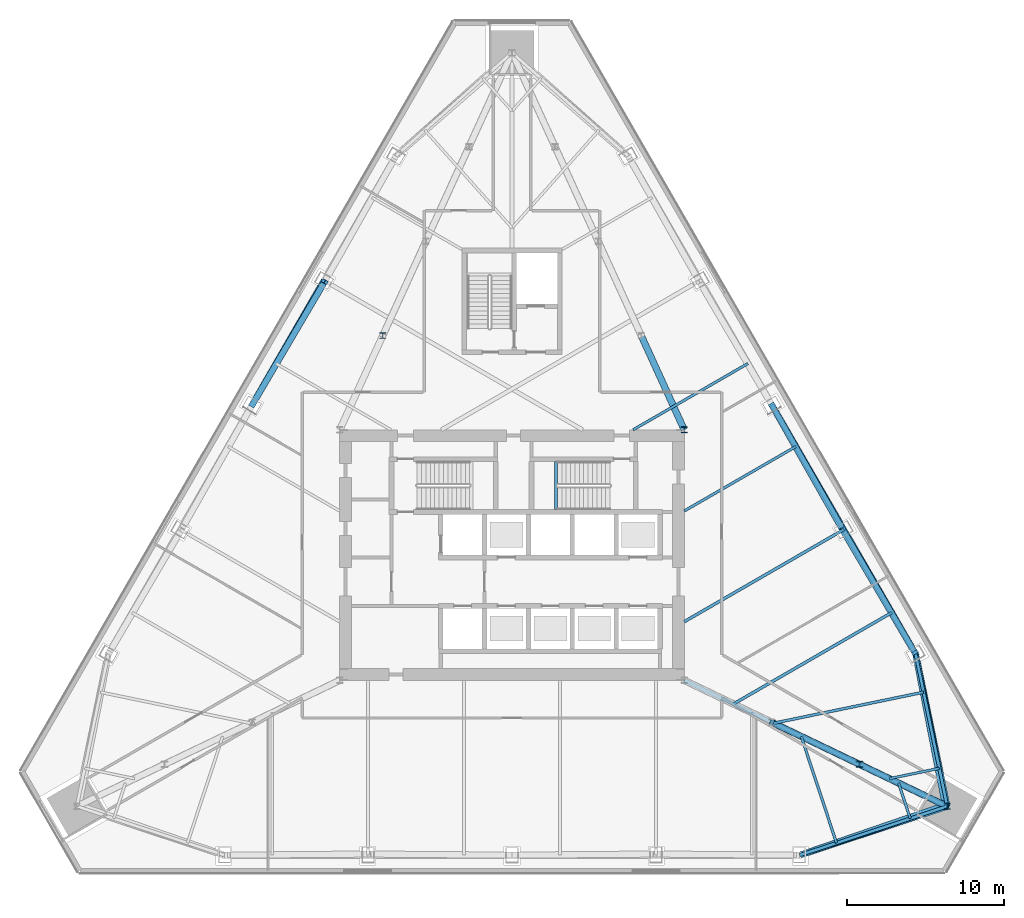
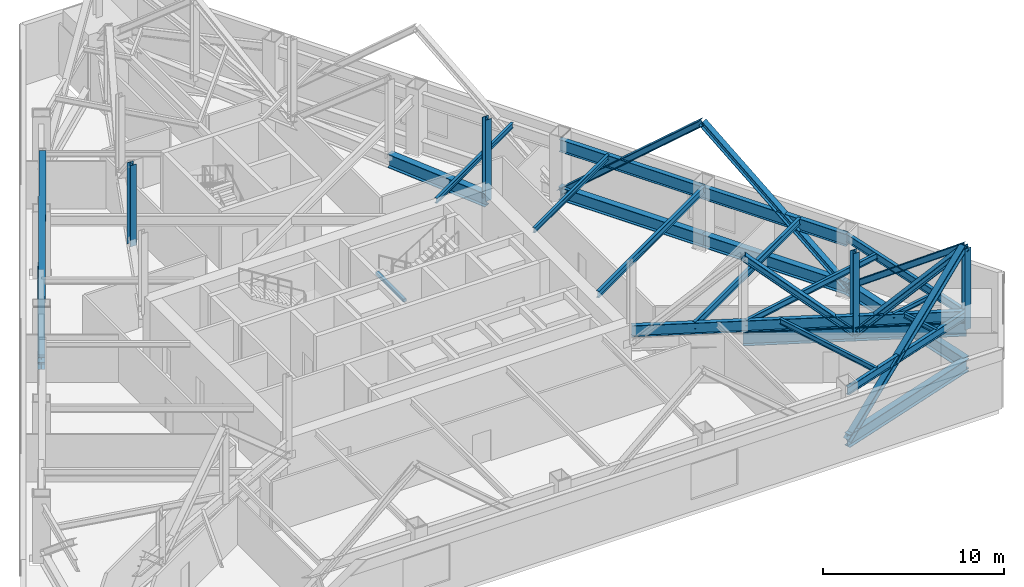
# One storey, part 3 of 13: 19 members, 13 beams.
"""IFC4 building model written with IfcOpenShell, lengths in metres."""

import ifcopenshell
import ifcopenshell.guid

model = None  # the IFC model being written
_history = None  # IfcOwnerHistory: only IFC2X3 demands one
_inside = {}  # id of a spatial element -> (the spatial element, [elements in it])
_under = {}  # id of a project, library or spatial element -> (it, [spatial elements below it])
_declared = {}  # id of a project -> (the project, [libraries it declares])
_typed = {}  # id of a type object -> (the type object, [elements of that type])
_made_of = {}  # id of a material, layer set ... -> (it, [elements and type objects made of it])


def new_model(schema):
    """Start an empty IFC model of exactly this schema.

    Asked for "IFC4X3", IfcOpenShell would pick the latest addendum, in which some entities
    have other attributes; the version numbers below select the first issue.
    IFC2X3 requires an IfcOwnerHistory on every rooted entity: one is made here for all.
    """
    global model, _history
    if schema == "IFC4X3":
        model = ifcopenshell.file(schema_version=(4, 3, 0, 0))
    else:
        model = ifcopenshell.file(schema=schema)
    _inside.clear()
    _under.clear()
    _declared.clear()
    _typed.clear()
    _made_of.clear()
    _history = None
    if model.schema == "IFC2X3":
        org = make("IfcOrganization", Name="unknown")
        user = make(
            "IfcPersonAndOrganization",
            ThePerson=make("IfcPerson", FamilyName="unknown"),
            TheOrganization=org,
        )
        app = make(
            "IfcApplication",
            ApplicationDeveloper=org,
            Version="unknown",
            ApplicationFullName="unknown",
            ApplicationIdentifier="unknown",
        )
        _history = make(
            "IfcOwnerHistory",
            OwningUser=user,
            OwningApplication=app,
            ChangeAction="ADDED",
            CreationDate=0,
        )
    return model


def make(cls, **values):
    """One entity of the class cls with the attributes given. An attribute that is None is left unset."""
    return model.create_entity(
        cls, **{name: value for name, value in values.items() if value is not None}
    )


def rooted(cls, **values):
    """An entity with a GlobalId (a new one), such as an element, a storey or a relation."""
    return make(cls, GlobalId=ifcopenshell.guid.new(), OwnerHistory=_history, **values)


def si_unit(unit_type, name, prefix=None):
    """IfcSIUnit, for example si_unit("LENGTHUNIT", "METRE", prefix="MILLI")."""
    return make("IfcSIUnit", UnitType=unit_type, Prefix=prefix, Name=name)


def assignment(units):
    """IfcUnitAssignment: the units of a project."""
    return None if units is None else make("IfcUnitAssignment", Units=units)


def point(xyz):
    """IfcCartesianPoint."""
    return None if xyz is None else make("IfcCartesianPoint", Coordinates=xyz)


def direction(xyz):
    """IfcDirection."""
    return None if xyz is None else make("IfcDirection", DirectionRatios=xyz)


def frame(location, z_axis=None, x_axis=None):
    """IfcAxis2Placement3D, a coordinate frame: its origin and axes. An axis left out is left unset."""
    return make(
        "IfcAxis2Placement3D",
        Location=point(location),
        Axis=direction(z_axis),
        RefDirection=direction(x_axis),
    )


def frame_2d(location, x_axis=None):
    """IfcAxis2Placement2D, a coordinate frame in the plane: its origin and x axis."""
    return make(
        "IfcAxis2Placement2D", Location=point(location), RefDirection=direction(x_axis)
    )


def origin():
    """The frame at (0, 0, 0) with its axes left unset."""
    return frame((0.0, 0.0, 0.0))


def origin_2d():
    """The frame at (0, 0) in the plane with its x axis left unset."""
    return frame_2d((0.0, 0.0))


def place(relative_to, where):
    """IfcLocalPlacement: puts the frame where relative to a parent placement (None: the world)."""
    return make(
        "IfcLocalPlacement", PlacementRelTo=relative_to, RelativePlacement=where
    )


def context(
    kind, dimensions, precision=None, world=None, true_north=None, identifier=None
):
    """IfcGeometricRepresentationContext, for example the 3D "Model" context."""
    return make(
        "IfcGeometricRepresentationContext",
        ContextIdentifier=identifier,
        ContextType=kind,
        CoordinateSpaceDimension=dimensions,
        Precision=precision,
        WorldCoordinateSystem=world,
        TrueNorth=true_north,
    )


def subcontext(parent, identifier, kind, view, scale=None):
    """IfcGeometricRepresentationSubContext, for example "Body" below "Model"."""
    return make(
        "IfcGeometricRepresentationSubContext",
        ContextIdentifier=identifier,
        ContextType=kind,
        ParentContext=parent,
        TargetScale=scale,
        TargetView=view,
    )


def project(units=None, contexts=None):
    """IfcProject with its units and contexts."""
    return rooted(
        "IfcProject",
        Name="project",
        RepresentationContexts=contexts,
        UnitsInContext=assignment(units),
    )


def spatial(cls, under=None, at=None, **own):
    """A site, building, storey or space (cls), placed at a placement, below another one or the project."""
    s = rooted(cls, ObjectPlacement=at, **own)
    if under is not None:
        _under.setdefault(under.id(), (under, []))[1].append(s)
    return s


def profile(cls, at=None, kind="AREA", **sizes):
    """A parametric profile (cls). Its sizes go by their IFC names, for example OverallWidth=200.0."""
    return make(cls, ProfileType=kind, Position=at, **sizes)


def rectangle(**sizes):
    """IfcRectangleProfileDef."""
    return profile("IfcRectangleProfileDef", **sizes)


def i_section(**sizes):
    """IfcIShapeProfileDef."""
    return profile("IfcIShapeProfileDef", **sizes)


def extrude(swept, where, along, depth):
    """IfcExtrudedAreaSolid: the profile swept, set in the frame where, extruded along a direction by depth."""
    return make(
        "IfcExtrudedAreaSolid",
        SweptArea=swept,
        Position=where,
        ExtrudedDirection=direction(along),
        Depth=depth,
    )


def shape(context_of_items, identifier, shape_type, items):
    """IfcShapeRepresentation: the items that make up one representation, for example the "Body"."""
    return make(
        "IfcShapeRepresentation",
        ContextOfItems=context_of_items,
        RepresentationIdentifier=identifier,
        RepresentationType=shape_type,
        Items=items,
    )


def material(Name=None, Category=None):
    """IfcMaterial."""
    return make("IfcMaterial", Name=Name, Category=Category)


def material_profile(
    of_material, cross_section, Name=None, Category=None, Priority=None
):
    """IfcMaterialProfile: a cross section and its material."""
    return make(
        "IfcMaterialProfile",
        Name=Name,
        Material=of_material,
        Profile=cross_section,
        Priority=Priority,
        Category=Category,
    )


def profile_set(profiles, Name=None, composite=None):
    """IfcMaterialProfileSet."""
    return make(
        "IfcMaterialProfileSet",
        Name=Name,
        MaterialProfiles=profiles,
        CompositeProfile=composite,
    )


def made_of(thing, what):
    """Note that an element or type object is made of a material, layer set ...; save() writes the relation."""
    if what is not None:
        _made_of.setdefault(what.id(), (what, []))[1].append(thing)
    return thing


def type_object(cls, material=None, **own):
    """A type object (cls), such as IfcWallType, which elements share."""
    return made_of(rooted(cls, **own), material)


def element(
    cls,
    number,
    at=None,
    inside=None,
    cuts=None,
    type_object=None,
    material=None,
    context=None,
    identifier="Body",
    shape_type=None,
    held_by="IfcProductDefinitionShape",
    body=None,
    shapes=None,
    **own,
):
    """One element of the class cls, such as IfcWall. Its Tag is "e" and its number.

    at: its placement. inside: the storey or other place that contains it. cuts: it is an
    opening in that element (IfcRelVoidsElement). A single representation is given by context,
    identifier, shape_type and body (its items); several are given by shapes. held_by: the class
    of the entity that holds the representations. save() writes the other relations.
    """
    e = rooted(cls, Tag="e%d" % number, ObjectPlacement=at, **own)
    if body is not None:
        shapes = [shape(context, identifier, shape_type, body)]
    if shapes is not None:
        e.Representation = make(held_by, Representations=shapes)
    if inside is not None:
        _inside.setdefault(inside.id(), (inside, []))[1].append(e)
    if cuts is not None:
        rooted(
            "IfcRelVoidsElement", RelatingBuildingElement=cuts, RelatedOpeningElement=e
        )
    if type_object is not None:
        _typed.setdefault(type_object.id(), (type_object, []))[1].append(e)
    return made_of(e, material)


def aggregate(whole, parts):
    """IfcRelAggregates: a whole, such as a stair, and the parts it consists of."""
    return rooted("IfcRelAggregates", RelatingObject=whole, RelatedObjects=parts)


def save(model, path):
    """Write the relations noted so far, then the file.

    IfcRelAggregates (storeys below a building ...), IfcRelContainedInSpatialStructure (elements
    in a storey), IfcRelDefinesByType, IfcRelAssociatesMaterial and IfcRelDeclares: one each for
    every whole, place, type object, material and project.
    """
    for whole, parts in _under.values():
        aggregate(whole, parts)
    for where, things in _inside.values():
        rooted(
            "IfcRelContainedInSpatialStructure",
            RelatedElements=things,
            RelatingStructure=where,
        )
    for kind, things in _typed.values():
        rooted("IfcRelDefinesByType", RelatedObjects=things, RelatingType=kind)
    for what, things in _made_of.values():
        rooted("IfcRelAssociatesMaterial", RelatedObjects=things, RelatingMaterial=what)
    for by, libraries in _declared.values():
        rooted("IfcRelDeclares", RelatingContext=by, RelatedDefinitions=libraries)
    model.write(path)


model = new_model("IFC4")

# Units and contexts
model_context = context("Model", 3, precision=1e-05, world=origin(), true_north=direction((0.0, 1.0)))
body_context = subcontext(model_context, "Body", "Model", "MODEL_VIEW")
ifc_project = project(units=[si_unit("LENGTHUNIT", "METRE"), si_unit("AREAUNIT", "SQUARE_METRE"), si_unit("VOLUMEUNIT", "CUBIC_METRE"), si_unit("PLANEANGLEUNIT", "RADIAN"), si_unit("MASSUNIT", "GRAM", prefix="KILO")], contexts=[model_context])

# Site, building, storey
site_placement = place(None, origin())
site = spatial("IfcSite", under=ifc_project, at=site_placement, CompositionType="ELEMENT")
building_placement = place(site_placement, origin())
building = spatial("IfcBuilding", under=site, at=building_placement, Name="Firuza Gate Tower and Library", CompositionType="ELEMENT")
storey_placement = place(building_placement, frame((0.0, 0.0, 146.800048828125)))
storey = spatial("IfcBuildingStorey", under=building, at=storey_placement, Name="L33", CompositionType="ELEMENT", Elevation=146.800048828125)

# Beams
ifc_material_1 = material(Name="Concrete C35/45", Category="concrete")
ifc_material_profile_1 = material_profile(ifc_material_1, rectangle(XDim=0.199951171875, YDim=0.199951171875, at=origin_2d()))
ifc_profile_set_1 = profile_set([ifc_material_profile_1], Name="Concrete C35/45")
beam_type_1 = type_object("IfcBeamType", Name="Stair landing bearer 200x200", PredefinedType="BEAM", material=ifc_profile_set_1)
beam_1_placement = place(storey_placement, frame((77.800048828125, 80.97998046875, 1.949951171875), z_axis=(0.0, -1.0, 0.0), x_axis=(1.0, 0.0, 0.0)))
element("IfcBeam", 1, at=beam_1_placement, inside=storey, type_object=beam_type_1, Name="Landing bearer L33 stair 2", PredefinedType="BEAM", context=body_context, shape_type="SweptSolid", body=[
    extrude(rectangle(XDim=0.199951171875, YDim=0.199951171875, at=origin_2d()), origin(), (0.0, 0.0, 1.0), 3.080078125),
])
ifc_material_2 = material(Name="Steel S355", Category="steel")
ifc_material_profile_2 = material_profile(ifc_material_2, i_section(OverallWidth=0.1650390625, OverallDepth=0.31005859375, WebThickness=0.005859375, FlangeThickness=0.009765625, at=origin_2d()))
ifc_profile_set_2 = profile_set([ifc_material_profile_2], Name="Steel S355")
beam_type_2 = type_object("IfcBeamType", Name="W310x39 Floor beam", PredefinedType="JOIST", material=ifc_profile_set_2)
beam_2_placement = place(storey_placement, frame((100.43505859375, 58.17529296875, 3.89501953125), z_axis=(-0.31408061988, 0.949396315674, 0.0), x_axis=(-0.949396315674, -0.31408061988, 0.0)))
element("IfcBeam", 2, at=beam_2_placement, inside=storey, type_object=beam_type_2, Name="Floor beam L33 s31", PredefinedType="JOIST", context=body_context, shape_type="SweptSolid", body=[
    extrude(i_section(OverallWidth=0.1650390625, OverallDepth=0.31005859375, WebThickness=0.005859375, FlangeThickness=0.009765625, at=origin_2d()), origin(), (0.0, 0.0, 1.0), 2.388671875),
])
beam_3_placement = place(storey_placement, frame((102.2880859375, 61.385009765625, 3.89501953125), z_axis=(-0.979226570581, -0.202769138353, 0.0), x_axis=(0.202769138353, -0.979226570581, 0.0)))
element("IfcBeam", 3, at=beam_3_placement, inside=storey, type_object=beam_type_2, Name="Floor beam L33 s40", PredefinedType="JOIST", context=body_context, shape_type="SweptSolid", body=[
    extrude(i_section(OverallWidth=0.1650390625, OverallDepth=0.31005859375, WebThickness=0.005859375, FlangeThickness=0.009765625, at=origin_2d()), origin(), (0.0, 0.0, 1.0), 3.258056640625),
])

# Members
ifc_material_3 = material(Name="Steel S355", Category="steel")
ifc_material_profile_3 = material_profile(ifc_material_3, i_section(OverallWidth=0.39404296875, OverallDepth=0.375, WebThickness=0.017333984375, FlangeThickness=0.027587890625, at=origin_2d()))
ifc_profile_set_3 = profile_set([ifc_material_profile_3], Name="Steel S355")
member_type_1 = type_object("IfcMemberType", Name="W360x216 Belt truss diagonal", PredefinedType="BRACE", material=ifc_profile_set_3)
member_1_placement = place(storey_placement, frame((93.36669921875, 55.837158203125, 0.427490234375), z_axis=(0.73570053784, 0.252341170536, 0.628544868943), x_axis=(-0.324440504545, 0.945906104754, 0.0)))
element("IfcMember", 4, at=member_1_placement, inside=storey, type_object=member_type_1, Name="Belt truss diagonal L33 7", PredefinedType="BRACE", context=body_context, shape_type="SweptSolid", body=[
    extrude(i_section(OverallWidth=0.39404296875, OverallDepth=0.375, WebThickness=0.017333984375, FlangeThickness=0.027587890625, at=origin_2d()), origin(), (0.0, 0.0, 1.0), 12.640380859375),
])
member_2_placement = place(storey_placement, frame((102.666259765625, 59.02685546875, 8.37255859375), z_axis=(-0.149317107806, 0.763311527307, -0.62853791739), x_axis=(-0.981399063025, -0.191978850643, 0.0)))
element("IfcMember", 5, at=member_2_placement, inside=storey, type_object=member_type_1, Name="Belt truss diagonal L33 8", PredefinedType="BRACE", context=body_context, shape_type="SweptSolid", body=[
    extrude(i_section(OverallWidth=0.39404296875, OverallDepth=0.375, WebThickness=0.017333984375, FlangeThickness=0.027587890625, at=origin_2d()), origin(), (0.0, 0.0, 1.0), 12.640625),
])
member_3_placement = place(storey_placement, frame((100.77880859375, 68.675537109375, 0.427490234375), z_axis=(-0.383973230884, 0.653223730732, 0.652582037428), x_axis=(-0.862093370131, -0.506749465887, 0.0)))
element("IfcMember", 6, at=member_3_placement, inside=storey, type_object=member_type_1, Name="Belt truss diagonal L33 9", PredefinedType="BRACE", context=body_context, shape_type="SweptSolid", body=[
    extrude(i_section(OverallWidth=0.39404296875, OverallDepth=0.375, WebThickness=0.017333984375, FlangeThickness=0.027587890625, at=origin_2d()), origin(), (0.0, 0.0, 1.0), 12.1748046875),
])
for number, where, z_axis, x_axis, name in (
    (7, (96.10400390625, 76.62841796875, 8.37255859375), (-0.372234378337, 0.656625716614, -0.655960544443), (-0.869938936803, -0.493159453154, 0.0), "Belt truss diagonal L33 10"),
    (8, (63.037841796875, 92.46240234375, 8.37255859375), (-0.382539363016, -0.650667648759, -0.655968937223), (0.862053645158, -0.506817040824, 0.0), "Belt truss diagonal L33 16"),
):
    element("IfcMember", number, at=place(storey_placement, frame(where, z_axis=z_axis, x_axis=x_axis)), inside=storey, type_object=member_type_1, Name=name, PredefinedType="BRACE", context=body_context, shape_type="SweptSolid", body=[
        extrude(i_section(OverallWidth=0.39404296875, OverallDepth=0.375, WebThickness=0.017333984375, FlangeThickness=0.027587890625, at=origin_2d()), origin(), (0.0, 0.0, 1.0), 12.112060546875),
    ])
ifc_material_4 = material(Name="Steel S355", Category="steel")
ifc_material_profile_4 = material_profile(ifc_material_4, i_section(OverallWidth=0.39404296875, OverallDepth=0.375, WebThickness=0.017333984375, FlangeThickness=0.027587890625, at=origin_2d()))
ifc_profile_set_4 = profile_set([ifc_material_profile_4], Name="Steel S355")
member_type_2 = type_object("IfcMemberType", Name="W360x216 Outrigger post", PredefinedType="POST", material=ifc_profile_set_4)
for number, where, z_axis, x_axis, name in (
    (9, (66.75, 89.022705078125, 2.85595703125), (0.0, 0.0, 1.0), (1.0, 0.0, 0.0), "Outrigger NW L33 post 2"),
    (10, (86.0, 83.0, 2.85595703125), (0.0, 0.0, 1.0), (1.0, 0.0, 0.0), "Outrigger NE L33 post 1"),
    (11, (97.194091796875, 61.636474609375, 2.85595703125), (0.0, 0.0, 1.0), (1.0, 0.0, 0.0), "Outrigger SE L33 post 3"),
    (12, (102.791259765625, 58.954833984375, 2.85595703125), (0.0, 0.0, 1.0), (1.0, 0.0, 0.0), "Outrigger SE L33 post 4"),
):
    element("IfcMember", number, at=place(storey_placement, frame(where, z_axis=z_axis, x_axis=x_axis)), inside=storey, type_object=member_type_2, Name=name, PredefinedType="POST", context=body_context, shape_type="SweptSolid", body=[
        extrude(i_section(OverallWidth=0.39404296875, OverallDepth=0.375, WebThickness=0.017333984375, FlangeThickness=0.027587890625, at=origin_2d()), origin(), (0.0, 0.0, 1.0), 5.488037109375),
    ])
ifc_material_5 = material(Name="Steel S355", Category="steel")
ifc_material_profile_5 = material_profile(ifc_material_5, i_section(OverallWidth=0.39794921875, OverallDepth=0.386962890625, WebThickness=0.02099609375, FlangeThickness=0.033203125, at=origin_2d()))
ifc_profile_set_5 = profile_set([ifc_material_profile_5], Name="Steel S355")
member_type_3 = type_object("IfcMemberType", Name="W360x262 Outrigger diagonal", PredefinedType="BRACE", material=ifc_profile_set_5)
member_4_placement = place(storey_placement, frame((91.59716796875, 64.318359375, 8.343994140625), z_axis=(0.675571737328, -0.323714527134, -0.662428662307), x_axis=(0.432123512946, 0.901814431887, 0.0)))
element("IfcMember", 13, at=member_4_placement, inside=storey, type_object=member_type_3, Name="Outrigger SE L33 diagonal 2", PredefinedType="BRACE", context=body_context, shape_type="SweptSolid", body=[
    extrude(i_section(OverallWidth=0.39794921875, OverallDepth=0.386962890625, WebThickness=0.02099609375, FlangeThickness=0.033203125, at=origin_2d()), origin(), (0.0, 0.0, 1.0), 8.28466796875),
])
member_5_placement = place(storey_placement, frame((97.194091796875, 61.636474609375, 2.85595703125), z_axis=(0.675594200453, -0.323681701901, 0.662421793247), x_axis=(0.432076191492, 0.901837105439, 0.0)))
element("IfcMember", 14, at=member_5_placement, inside=storey, type_object=member_type_3, Name="Outrigger SE L33 diagonal 3", PredefinedType="BRACE", context=body_context, shape_type="SweptSolid", body=[
    extrude(i_section(OverallWidth=0.39794921875, OverallDepth=0.386962890625, WebThickness=0.02099609375, FlangeThickness=0.033203125, at=origin_2d()), origin(), (0.0, 0.0, 1.0), 8.284912109375),
])

# Beams
ifc_material_6 = material(Name="Steel S355", Category="steel")
ifc_material_profile_6 = material_profile(ifc_material_6, i_section(OverallWidth=0.1708984375, OverallDepth=0.35498046875, WebThickness=0.007080078125, FlangeThickness=0.01171875, at=origin_2d()))
ifc_profile_set_6 = profile_set([ifc_material_profile_6], Name="Steel S355")
beam_type_3 = type_object("IfcBeamType", Name="W360x51 Floor beam", PredefinedType="JOIST", material=ifc_profile_set_6)
beam_4_placement = place(storey_placement, frame((95.722900390625, 56.616455078125, 3.87255859375), z_axis=(-0.31408061988, 0.949396315674, 0.0), x_axis=(-0.949396315674, -0.31408061988, 0.0)))
element("IfcBeam", 15, at=beam_4_placement, inside=storey, type_object=beam_type_3, Name="Floor beam L33 s30", PredefinedType="JOIST", context=body_context, shape_type="SweptSolid", body=[
    extrude(i_section(OverallWidth=0.1708984375, OverallDepth=0.35498046875, WebThickness=0.007080078125, FlangeThickness=0.01171875, at=origin_2d()), origin(), (0.0, 0.0, 1.0), 7.166015625),
])
beam_5_placement = place(storey_placement, frame((93.126220703125, 81.930419921875, 3.87255859375), z_axis=(-0.866028962576, -0.499993835942, 0.0), x_axis=(0.499993835942, -0.866028962576, 0.0)))
element("IfcBeam", 16, at=beam_5_placement, inside=storey, type_object=beam_type_3, Name="Floor beam L33 s52", PredefinedType="JOIST", context=body_context, shape_type="SweptSolid", body=[
    extrude(i_section(OverallWidth=0.1708984375, OverallDepth=0.35498046875, WebThickness=0.007080078125, FlangeThickness=0.01171875, at=origin_2d()), origin(), (0.0, 0.0, 1.0), 8.228515625),
])
beam_6_placement = place(storey_placement, frame((90.06494140625, 87.232421875, 3.87255859375), z_axis=(-0.866026609361, -0.499997911875, 0.0), x_axis=(0.499997911875, -0.866026609361, 0.0)))
element("IfcBeam", 17, at=beam_6_placement, inside=storey, type_object=beam_type_3, Name="Floor beam L33 s53", PredefinedType="JOIST", context=body_context, shape_type="SweptSolid", body=[
    extrude(i_section(OverallWidth=0.1708984375, OverallDepth=0.35498046875, WebThickness=0.007080078125, FlangeThickness=0.01171875, at=origin_2d()), origin(), (0.0, 0.0, 1.0), 8.46484375),
])
ifc_material_7 = material(Name="Steel S355", Category="steel")
ifc_material_profile_7 = material_profile(ifc_material_7, i_section(OverallWidth=0.177978515625, OverallDepth=0.406982421875, WebThickness=0.0078125, FlangeThickness=0.0126953125, at=origin_2d()))
ifc_profile_set_7 = profile_set([ifc_material_profile_7], Name="Steel S355")
beam_type_4 = type_object("IfcBeamType", Name="W410x60 Floor beam", PredefinedType="JOIST", material=ifc_profile_set_7)
beam_7_placement = place(storey_placement, frame((101.281982421875, 66.245361328125, 3.846435546875), z_axis=(-0.979237514963, -0.202716277808, 0.0), x_axis=(0.202716277808, -0.979237514963, 0.0)))
element("IfcBeam", 18, at=beam_7_placement, inside=storey, type_object=beam_type_4, Name="Floor beam L33 s41", PredefinedType="JOIST", context=body_context, shape_type="SweptSolid", body=[
    extrude(i_section(OverallWidth=0.177978515625, OverallDepth=0.406982421875, WebThickness=0.0078125, FlangeThickness=0.0126953125, at=origin_2d()), origin(), (0.0, 0.0, 1.0), 9.7744140625),
])
ifc_material_8 = material(Name="Steel S355", Category="steel")
ifc_material_profile_8 = material_profile(ifc_material_8, i_section(OverallWidth=0.18994140625, OverallDepth=0.45703125, WebThickness=0.009033203125, FlangeThickness=0.014404296875, at=origin_2d()))
ifc_profile_set_8 = profile_set([ifc_material_profile_8], Name="Steel S355")
beam_type_5 = type_object("IfcBeamType", Name="W460x74 Floor beam", PredefinedType="JOIST", material=ifc_profile_set_8)
beam_8_placement = place(storey_placement, frame((99.248291015625, 71.326416015625, 3.821533203125), z_axis=(-0.866025979552, -0.499999002741, 0.0), x_axis=(0.499999002741, -0.866025979552, 0.0)))
element("IfcBeam", 19, at=beam_8_placement, inside=storey, type_object=beam_type_5, Name="Floor beam L33 s50", PredefinedType="JOIST", context=body_context, shape_type="SweptSolid", body=[
    extrude(i_section(OverallWidth=0.18994140625, OverallDepth=0.45703125, WebThickness=0.009033203125, FlangeThickness=0.014404296875, at=origin_2d()), origin(), (0.0, 0.0, 1.0), 11.66650390625),
])
beam_9_placement = place(storey_placement, frame((96.187255859375, 76.62841796875, 3.821533203125), z_axis=(-0.866026254694, -0.499998526178, 0.0), x_axis=(0.499998526178, -0.866026254694, 0.0)))
element("IfcBeam", 20, at=beam_9_placement, inside=storey, type_object=beam_type_5, Name="Floor beam L33 s51", PredefinedType="JOIST", context=body_context, shape_type="SweptSolid", body=[
    extrude(i_section(OverallWidth=0.18994140625, OverallDepth=0.45703125, WebThickness=0.009033203125, FlangeThickness=0.014404296875, at=origin_2d()), origin(), (0.0, 0.0, 1.0), 11.76318359375),
])
ifc_material_9 = material(Name="Steel S355", Category="steel")
ifc_material_profile_9 = material_profile(ifc_material_9, i_section(OverallWidth=0.212890625, OverallDepth=0.5390625, WebThickness=0.01171875, FlangeThickness=0.018798828125, at=origin_2d()))
ifc_profile_set_9 = profile_set([ifc_material_profile_9], Name="Steel S355")
beam_type_6 = type_object("IfcBeamType", Name="W530x109 Edge beam", PredefinedType="SPANDREL", material=ifc_profile_set_9)
for number, where, z_axis, x_axis, name in (
    (21, (93.36669921875, 55.837158203125, 3.780517578125), (0.949401438571, 0.314065134071, 0.0), (-0.314065134071, 0.949401438571, 0.0), "Edge beam L33 e30"),
    (22, (102.791259765625, 58.954833984375, 3.780517578125), (-0.202728404221, 0.979235004543, 0.0), (-0.979235004543, -0.202728404221, 0.0), "Edge beam L33 e40"),
):
    element("IfcBeam", number, at=place(storey_placement, frame(where, z_axis=z_axis, x_axis=x_axis)), inside=storey, type_object=beam_type_6, Name=name, PredefinedType="SPANDREL", context=body_context, shape_type="SweptSolid", body=[
        extrude(i_section(OverallWidth=0.212890625, OverallDepth=0.5390625, WebThickness=0.01171875, FlangeThickness=0.018798828125, at=origin_2d()), origin(), (0.0, 0.0, 1.0), 9.9267578125),
    ])
ifc_material_10 = material(Name="Steel S355", Category="steel")
ifc_material_profile_10 = material_profile(ifc_material_10, i_section(OverallWidth=0.264892578125, OverallDepth=0.7529296875, WebThickness=0.01318359375, FlangeThickness=0.01708984375, at=origin_2d()))
ifc_profile_set_10 = profile_set([ifc_material_profile_10], Name="Steel S355")
beam_type_7 = type_object("IfcBeamType", Name="W760x147 Girder", PredefinedType="BEAM", material=ifc_profile_set_10)
beam_10_placement = place(storey_placement, frame((102.791259765625, 58.954833984375, 3.67333984375), z_axis=(-0.901829547957, 0.432091965248, 0.0), x_axis=(-0.432091965248, -0.901829547957, 0.0)))
element("IfcBeam", 23, at=beam_10_placement, inside=storey, type_object=beam_type_7, Name="Girder L33 gSE", PredefinedType="BEAM", context=body_context, shape_type="SweptSolid", body=[
    extrude(i_section(OverallWidth=0.264892578125, OverallDepth=0.7529296875, WebThickness=0.01318359375, FlangeThickness=0.01708984375, at=origin_2d()), origin(), (0.0, 0.0, 1.0), 18.619140625),
])
ifc_material_11 = material(Name="Steel S355", Category="steel")
ifc_material_profile_11 = material_profile(ifc_material_11, i_section(OverallWidth=0.2919921875, OverallDepth=0.8349609375, WebThickness=0.013916015625, FlangeThickness=0.018798828125, at=origin_2d()))
ifc_profile_set_11 = profile_set([ifc_material_profile_11], Name="Steel S355")
beam_type_8 = type_object("IfcBeamType", Name="W840x176 Edge beam", PredefinedType="SPANDREL", material=ifc_profile_set_11)
beam_11_placement = place(storey_placement, frame((100.77880859375, 68.675537109375, 3.632568359375), z_axis=(-0.500000524512, 0.866025100957, 0.0), x_axis=(-0.866025100957, -0.500000524512, 0.0)))
element("IfcBeam", 24, at=beam_11_placement, inside=storey, type_object=beam_type_8, Name="Edge beam L33 e50", PredefinedType="SPANDREL", context=body_context, shape_type="SweptSolid", body=[
    extrude(i_section(OverallWidth=0.2919921875, OverallDepth=0.8349609375, WebThickness=0.013916015625, FlangeThickness=0.018798828125, at=origin_2d()), origin(), (0.0, 0.0, 1.0), 18.36669921875),
])

# Members
ifc_material_12 = material(Name="Steel S355", Category="steel")
ifc_material_profile_12 = material_profile(ifc_material_12, i_section(OverallWidth=0.39990234375, OverallDepth=0.85498046875, WebThickness=0.018310546875, FlangeThickness=0.029296875, at=origin_2d()))
ifc_profile_set_12 = profile_set([ifc_material_profile_12], Name="Steel S355")
member_type_4 = type_object("IfcMemberType", Name="W840x299 Belt truss chord", PredefinedType="CHORD", material=ifc_profile_set_12)
for number, where, z_axis, x_axis, name in (
    (25, (93.36669921875, 55.837158203125, 0.427490234375), (0.949401438571, 0.314065134071, 0.0), (-0.314065134071, 0.949401438571, 0.0), "Belt truss bottom chord L33 7"),
    (26, (102.791259765625, 58.954833984375, 0.427490234375), (-0.202728404221, 0.979235004543, 0.0), (-0.979235004543, -0.202728404221, 0.0), "Belt truss bottom chord L33 8"),
):
    element("IfcMember", number, at=place(storey_placement, frame(where, z_axis=z_axis, x_axis=x_axis)), inside=storey, type_object=member_type_4, Name=name, PredefinedType="CHORD", context=body_context, shape_type="SweptSolid", body=[
        extrude(i_section(OverallWidth=0.39990234375, OverallDepth=0.85498046875, WebThickness=0.018310546875, FlangeThickness=0.029296875, at=origin_2d()), origin(), (0.0, 0.0, 1.0), 9.9267578125),
    ])
member_6_placement = place(storey_placement, frame((100.77880859375, 68.675537109375, 0.427490234375), z_axis=(-0.499996310861, 0.8660275337, 0.0), x_axis=(-0.8660275337, -0.499996310861, 0.0)))
element("IfcMember", 27, at=member_6_placement, inside=storey, type_object=member_type_4, Name="Belt truss bottom chord L33 9", PredefinedType="CHORD", context=body_context, shape_type="SweptSolid", body=[
    extrude(i_section(OverallWidth=0.39990234375, OverallDepth=0.85498046875, WebThickness=0.018310546875, FlangeThickness=0.029296875, at=origin_2d()), origin(), (0.0, 0.0, 1.0), 9.18310546875),
])
member_7_placement = place(storey_placement, frame((96.187255859375, 76.62841796875, 0.427490234375), z_axis=(-0.500004737999, 0.866022668282, 0.0), x_axis=(-0.866022668282, -0.500004737999, 0.0)))
element("IfcMember", 28, at=member_7_placement, inside=storey, type_object=member_type_4, Name="Belt truss bottom chord L33 10", PredefinedType="CHORD", context=body_context, shape_type="SweptSolid", body=[
    extrude(i_section(OverallWidth=0.39990234375, OverallDepth=0.85498046875, WebThickness=0.018310546875, FlangeThickness=0.029296875, at=origin_2d()), origin(), (0.0, 0.0, 1.0), 9.18359375),
])
member_8_placement = place(storey_placement, frame((62.99609375, 92.534423828125, 0.427490234375), z_axis=(-0.499996310861, -0.8660275337, 0.0), x_axis=(0.8660275337, -0.499996310861, 0.0)))
element("IfcMember", 29, at=member_8_placement, inside=storey, type_object=member_type_4, Name="Belt truss bottom chord L33 16", PredefinedType="CHORD", context=body_context, shape_type="SweptSolid", body=[
    extrude(i_section(OverallWidth=0.39990234375, OverallDepth=0.85498046875, WebThickness=0.018310546875, FlangeThickness=0.029296875, at=origin_2d()), origin(), (0.0, 0.0, 1.0), 9.18310546875),
])
ifc_material_13 = material(Name="Steel S355", Category="steel")
ifc_material_profile_13 = material_profile(ifc_material_13, i_section(OverallWidth=0.41796875, OverallDepth=0.912109375, WebThickness=0.019287109375, FlangeThickness=0.031982421875, at=origin_2d()))
ifc_profile_set_13 = profile_set([ifc_material_profile_13], Name="Steel S355")
member_type_5 = type_object("IfcMemberType", Name="W920x342 Outrigger chord", PredefinedType="CHORD", material=ifc_profile_set_13)
member_9_placement = place(storey_placement, frame((86.0, 83.0, 2.85595703125), z_axis=(-0.41535536852, 0.909659231713, 0.0), x_axis=(-0.909659231713, -0.41535536852, 0.0)))
element("IfcMember", 30, at=member_9_placement, inside=storey, type_object=member_type_5, Name="Outrigger NE L33 bottom chord 1", PredefinedType="CHORD", context=body_context, shape_type="SweptSolid", body=[
    extrude(i_section(OverallWidth=0.41796875, OverallDepth=0.912109375, WebThickness=0.019287109375, FlangeThickness=0.031982421875, at=origin_2d()), origin(), (0.0, 0.0, 1.0), 6.620849609375),
])
for number, where, z_axis, x_axis, name in (
    (31, (91.59716796875, 64.318359375, 2.85595703125), (0.901814431887, -0.432123512946, 0.0), (0.432123512946, 0.901814431887, 0.0), "Outrigger SE L33 bottom chord 2"),
    (32, (97.194091796875, 61.636474609375, 2.85595703125), (0.901837105439, -0.432076191492, 0.0), (0.432076191492, 0.901837105439, 0.0), "Outrigger SE L33 bottom chord 3"),
):
    element("IfcMember", number, at=place(storey_placement, frame(where, z_axis=z_axis, x_axis=x_axis)), inside=storey, type_object=member_type_5, Name=name, PredefinedType="CHORD", context=body_context, shape_type="SweptSolid", body=[
        extrude(i_section(OverallWidth=0.41796875, OverallDepth=0.912109375, WebThickness=0.019287109375, FlangeThickness=0.031982421875, at=origin_2d()), origin(), (0.0, 0.0, 1.0), 6.206298828125),
    ])

save(model, "model.ifc")
